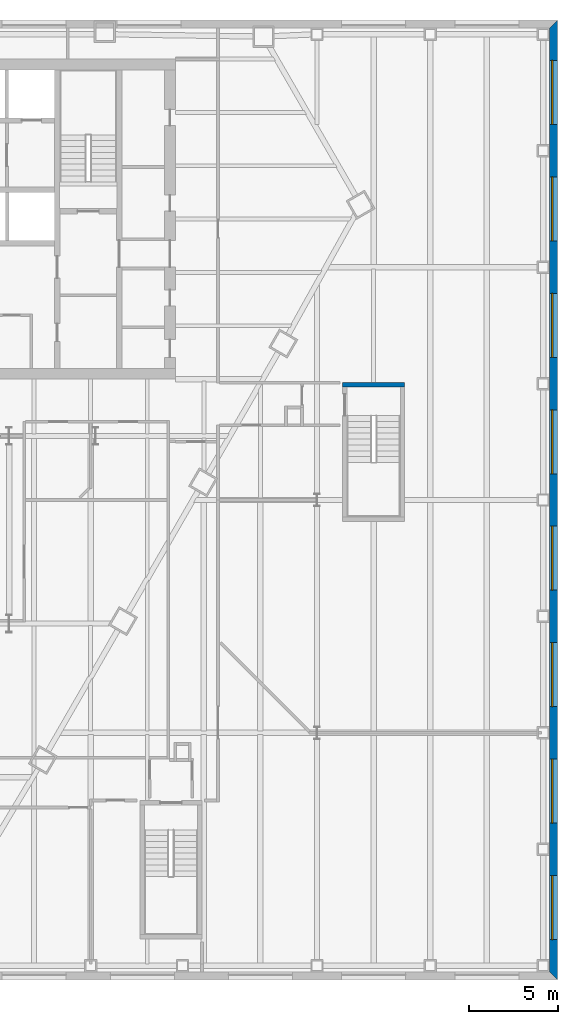
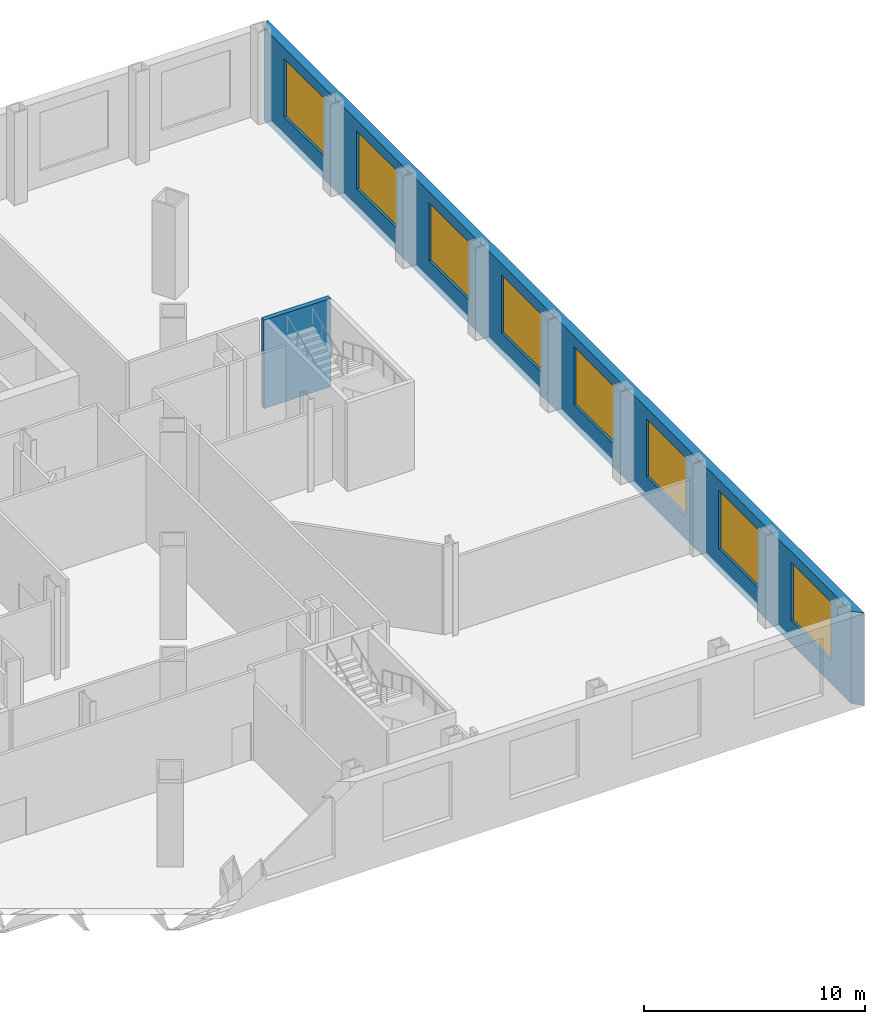
# One storey, part 15 of 21: 8 windows, 2 walls, 8 openings.
"""IFC4 building model written with IfcOpenShell, lengths in metres."""

from ifc_helpers import new_model, si_unit, direction, frame, frame_2d, origin, place, context, subcontext, project, spatial, polyline, rectangle, outline, extrude, material, layer, layer_set, type_object, element, fill, save


model = new_model("IFC4")

# Units and contexts
model_context = context("Model", 3, precision=1e-05, world=origin(), true_north=direction((0.0, 1.0)))
body_context = subcontext(model_context, "Body", "Model", "MODEL_VIEW")
ifc_project = project(units=[si_unit("LENGTHUNIT", "METRE"), si_unit("AREAUNIT", "SQUARE_METRE"), si_unit("VOLUMEUNIT", "CUBIC_METRE"), si_unit("PLANEANGLEUNIT", "RADIAN"), si_unit("MASSUNIT", "GRAM", prefix="KILO")], contexts=[model_context])

# Site, building, storey
site_placement = place(None, origin())
site = spatial("IfcSite", under=ifc_project, at=site_placement, CompositionType="ELEMENT")
building_placement = place(site_placement, origin())
building = spatial("IfcBuilding", under=site, at=building_placement, Name="Njiva Tower", CompositionType="ELEMENT")
storey_placement = place(building_placement, frame((0.0, 0.0, 8.4)))
storey = spatial("IfcBuildingStorey", under=building, at=storey_placement, Name="L01", CompositionType="ELEMENT", Elevation=8.4)

# Wall
ifc_material_1 = material(Name="Concrete C40/50", Category="concrete")
ifc_layer_1 = layer(ifc_material_1, 0.25)
ifc_layer_set_1 = layer_set([ifc_layer_1], Name="Concrete C40/50")
wall_type_1 = type_object("IfcWallType", Name="WT9 Stair enclosure wall 250", PredefinedType="SHEAR", material=ifc_layer_set_1)
wall_1_placement = place(storey_placement, frame((26.9, -0.325, 0.0), z_axis=(0.0, 0.0, 1.0), x_axis=(1.0, 0.0, 0.0)))
element("IfcWall", 1, at=wall_1_placement, inside=storey, type_object=wall_type_1, Name="Stair G wall north", PredefinedType="SHEAR", context=body_context, shape_type="SweptSolid", body=[
    extrude(rectangle(XDim=3.5, YDim=0.25, at=frame_2d((1.75, 0.0))), origin(), (0.0, 0.0, 1.0), 4.88),
])

# Wall, openings, windows
ifc_material_2 = material(Name="Brick masonry", Category="masonry")
ifc_layer_2 = layer(ifc_material_2, 0.45)
ifc_layer_set_2 = layer_set([ifc_layer_2], Name="Brick masonry")
wall_type_2 = type_object("IfcWallType", Name="WT90 Brick pier and spandrel wall 450", PredefinedType="SOLIDWALL", material=ifc_layer_set_2)
wall_2_placement = place(storey_placement, frame((38.775, -33.575, -0.4), z_axis=(0.0, 0.0, 1.0), x_axis=(0.0, 1.0, 0.0)))
wall_2 = element("IfcWall", 2, at=wall_2_placement, inside=storey, type_object=wall_type_2, Name="Podium wall E", PredefinedType="SOLIDWALL", context=body_context, shape_type="SweptSolid", body=[
    extrude(outline(polyline([(-0.225, -0.225), (53.775, -0.225), (53.325, 0.225), (0.225, 0.225), (-0.225, -0.225)])), origin(), (0.0, 0.0, 1.0), 5.1),
])
opening_1_placement = place(wall_2_placement, frame((2.05, 0.0, 1.3)))
opening_1 = element("IfcOpeningElement", 3, at=opening_1_placement, cuts=wall_2, Name="Opening L01-W01", PredefinedType="OPENING", context=body_context, shape_type="SweptSolid", body=[
    extrude(rectangle(XDim=3.6, YDim=3.2, at=frame_2d((1.8, 1.6))), frame((0.0, 0.235, 0.0), z_axis=(0.0, -1.0, 0.0), x_axis=(1.0, 0.0, 0.0)), (0.0, 0.0, 1.0), 0.47),
])
opening_2_placement = place(wall_2_placement, frame((8.6, 0.0, 1.3)))
opening_2 = element("IfcOpeningElement", 4, at=opening_2_placement, cuts=wall_2, Name="Opening L01-W02", PredefinedType="OPENING", context=body_context, shape_type="SweptSolid", body=[
    extrude(rectangle(XDim=3.6, YDim=3.2, at=frame_2d((1.8, 1.6))), frame((0.0, 0.235, 0.0), z_axis=(0.0, -1.0, 0.0), x_axis=(1.0, 0.0, 0.0)), (0.0, 0.0, 1.0), 0.47),
])
opening_3_placement = place(wall_2_placement, frame((15.15, 0.0, 1.3)))
opening_3 = element("IfcOpeningElement", 5, at=opening_3_placement, cuts=wall_2, Name="Opening L01-W03", PredefinedType="OPENING", context=body_context, shape_type="SweptSolid", body=[
    extrude(rectangle(XDim=3.6, YDim=3.2, at=frame_2d((1.8, 1.6))), frame((0.0, 0.235, 0.0), z_axis=(0.0, -1.0, 0.0), x_axis=(1.0, 0.0, 0.0)), (0.0, 0.0, 1.0), 0.47),
])
opening_4_placement = place(wall_2_placement, frame((21.7, 0.0, 1.3)))
opening_4 = element("IfcOpeningElement", 6, at=opening_4_placement, cuts=wall_2, Name="Opening L01-W04", PredefinedType="OPENING", context=body_context, shape_type="SweptSolid", body=[
    extrude(rectangle(XDim=3.6, YDim=3.2, at=frame_2d((1.8, 1.6))), frame((0.0, 0.235, 0.0), z_axis=(0.0, -1.0, 0.0), x_axis=(1.0, 0.0, 0.0)), (0.0, 0.0, 1.0), 0.47),
])
opening_5_placement = place(wall_2_placement, frame((28.25, 0.0, 1.3)))
opening_5 = element("IfcOpeningElement", 7, at=opening_5_placement, cuts=wall_2, Name="Opening L01-W05", PredefinedType="OPENING", context=body_context, shape_type="SweptSolid", body=[
    extrude(rectangle(XDim=3.6, YDim=3.2, at=frame_2d((1.8, 1.6))), frame((0.0, 0.235, 0.0), z_axis=(0.0, -1.0, 0.0), x_axis=(1.0, 0.0, 0.0)), (0.0, 0.0, 1.0), 0.47),
])
opening_6_placement = place(wall_2_placement, frame((34.8, 0.0, 1.3)))
opening_6 = element("IfcOpeningElement", 8, at=opening_6_placement, cuts=wall_2, Name="Opening L01-W06", PredefinedType="OPENING", context=body_context, shape_type="SweptSolid", body=[
    extrude(rectangle(XDim=3.6, YDim=3.2, at=frame_2d((1.8, 1.6))), frame((0.0, 0.235, 0.0), z_axis=(0.0, -1.0, 0.0), x_axis=(1.0, 0.0, 0.0)), (0.0, 0.0, 1.0), 0.47),
])
opening_7_placement = place(wall_2_placement, frame((41.35, 0.0, 1.3)))
opening_7 = element("IfcOpeningElement", 9, at=opening_7_placement, cuts=wall_2, Name="Opening L01-W07", PredefinedType="OPENING", context=body_context, shape_type="SweptSolid", body=[
    extrude(rectangle(XDim=3.6, YDim=3.2, at=frame_2d((1.8, 1.6))), frame((0.0, 0.235, 0.0), z_axis=(0.0, -1.0, 0.0), x_axis=(1.0, 0.0, 0.0)), (0.0, 0.0, 1.0), 0.47),
])
opening_8_placement = place(wall_2_placement, frame((47.9, 0.0, 1.3)))
opening_8 = element("IfcOpeningElement", 10, at=opening_8_placement, cuts=wall_2, Name="Opening L01-W08", PredefinedType="OPENING", context=body_context, shape_type="SweptSolid", body=[
    extrude(rectangle(XDim=3.6, YDim=3.2, at=frame_2d((1.8, 1.6))), frame((0.0, 0.235, 0.0), z_axis=(0.0, -1.0, 0.0), x_axis=(1.0, 0.0, 0.0)), (0.0, 0.0, 1.0), 0.47),
])
ifc_material_3 = material(Name="Clear glazing in aluminium frame", Category="aluminium")
window_type = type_object("IfcWindowType", Name="W98 Deep-set window 3600x3200", PartitioningType="SINGLE_PANEL", PredefinedType="WINDOW", material=ifc_material_3)
window_1_placement = place(opening_1_placement, origin())
window_1 = element("IfcWindow", 11, at=window_1_placement, inside=storey, type_object=window_type, Name="Window", OverallHeight=3.2, OverallWidth=3.6, PartitioningType="SINGLE_PANEL", PredefinedType="WINDOW", context=body_context, shape_type="SweptSolid", body=[
    extrude(rectangle(XDim=3.6, YDim=3.2, at=frame_2d((1.8, 1.6))), frame((0.0, 0.105, 0.0), z_axis=(0.0, -1.0, 0.0), x_axis=(1.0, 0.0, 0.0)), (0.0, 0.0, 1.0), 0.06),
])
fill(opening_1, window_1)
window_2_placement = place(opening_2_placement, origin())
window_2 = element("IfcWindow", 12, at=window_2_placement, inside=storey, type_object=window_type, Name="Window", OverallHeight=3.2, OverallWidth=3.6, PartitioningType="SINGLE_PANEL", PredefinedType="WINDOW", context=body_context, shape_type="SweptSolid", body=[
    extrude(rectangle(XDim=3.6, YDim=3.2, at=frame_2d((1.8, 1.6))), frame((0.0, 0.105, 0.0), z_axis=(0.0, -1.0, 0.0), x_axis=(1.0, 0.0, 0.0)), (0.0, 0.0, 1.0), 0.06),
])
fill(opening_2, window_2)
window_3_placement = place(opening_3_placement, origin())
window_3 = element("IfcWindow", 13, at=window_3_placement, inside=storey, type_object=window_type, Name="Window", OverallHeight=3.2, OverallWidth=3.6, PartitioningType="SINGLE_PANEL", PredefinedType="WINDOW", context=body_context, shape_type="SweptSolid", body=[
    extrude(rectangle(XDim=3.6, YDim=3.2, at=frame_2d((1.8, 1.6))), frame((0.0, 0.105, 0.0), z_axis=(0.0, -1.0, 0.0), x_axis=(1.0, 0.0, 0.0)), (0.0, 0.0, 1.0), 0.06),
])
fill(opening_3, window_3)
window_4_placement = place(opening_4_placement, origin())
window_4 = element("IfcWindow", 14, at=window_4_placement, inside=storey, type_object=window_type, Name="Window", OverallHeight=3.2, OverallWidth=3.6, PartitioningType="SINGLE_PANEL", PredefinedType="WINDOW", context=body_context, shape_type="SweptSolid", body=[
    extrude(rectangle(XDim=3.6, YDim=3.2, at=frame_2d((1.8, 1.6))), frame((0.0, 0.105, 0.0), z_axis=(0.0, -1.0, 0.0), x_axis=(1.0, 0.0, 0.0)), (0.0, 0.0, 1.0), 0.06),
])
fill(opening_4, window_4)
window_5_placement = place(opening_5_placement, origin())
window_5 = element("IfcWindow", 15, at=window_5_placement, inside=storey, type_object=window_type, Name="Window", OverallHeight=3.2, OverallWidth=3.6, PartitioningType="SINGLE_PANEL", PredefinedType="WINDOW", context=body_context, shape_type="SweptSolid", body=[
    extrude(rectangle(XDim=3.6, YDim=3.2, at=frame_2d((1.8, 1.6))), frame((0.0, 0.105, 0.0), z_axis=(0.0, -1.0, 0.0), x_axis=(1.0, 0.0, 0.0)), (0.0, 0.0, 1.0), 0.06),
])
fill(opening_5, window_5)
window_6_placement = place(opening_6_placement, origin())
window_6 = element("IfcWindow", 16, at=window_6_placement, inside=storey, type_object=window_type, Name="Window", OverallHeight=3.2, OverallWidth=3.6, PartitioningType="SINGLE_PANEL", PredefinedType="WINDOW", context=body_context, shape_type="SweptSolid", body=[
    extrude(rectangle(XDim=3.6, YDim=3.2, at=frame_2d((1.8, 1.6))), frame((0.0, 0.105, 0.0), z_axis=(0.0, -1.0, 0.0), x_axis=(1.0, 0.0, 0.0)), (0.0, 0.0, 1.0), 0.06),
])
fill(opening_6, window_6)
window_7_placement = place(opening_7_placement, origin())
window_7 = element("IfcWindow", 17, at=window_7_placement, inside=storey, type_object=window_type, Name="Window", OverallHeight=3.2, OverallWidth=3.6, PartitioningType="SINGLE_PANEL", PredefinedType="WINDOW", context=body_context, shape_type="SweptSolid", body=[
    extrude(rectangle(XDim=3.6, YDim=3.2, at=frame_2d((1.8, 1.6))), frame((0.0, 0.105, 0.0), z_axis=(0.0, -1.0, 0.0), x_axis=(1.0, 0.0, 0.0)), (0.0, 0.0, 1.0), 0.06),
])
fill(opening_7, window_7)
window_8_placement = place(opening_8_placement, origin())
window_8 = element("IfcWindow", 18, at=window_8_placement, inside=storey, type_object=window_type, Name="Window", OverallHeight=3.2, OverallWidth=3.6, PartitioningType="SINGLE_PANEL", PredefinedType="WINDOW", context=body_context, shape_type="SweptSolid", body=[
    extrude(rectangle(XDim=3.6, YDim=3.2, at=frame_2d((1.8, 1.6))), frame((0.0, 0.105, 0.0), z_axis=(0.0, -1.0, 0.0), x_axis=(1.0, 0.0, 0.0)), (0.0, 0.0, 1.0), 0.06),
])
fill(opening_8, window_8)

save(model, "model.ifc")
